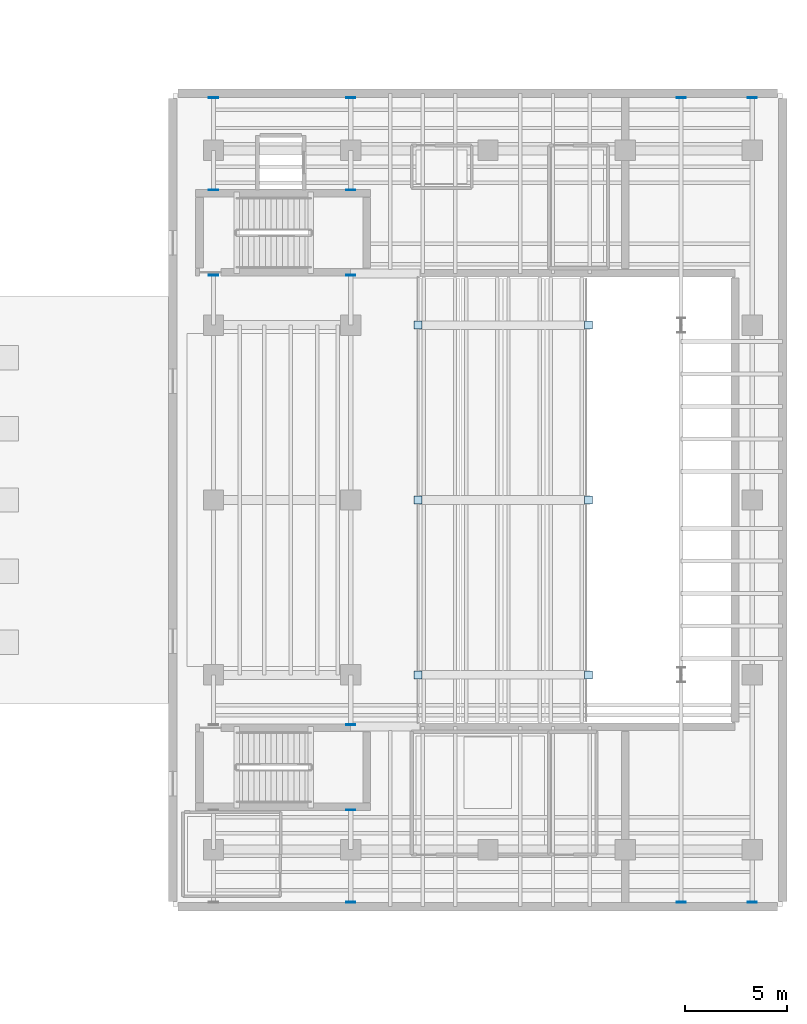
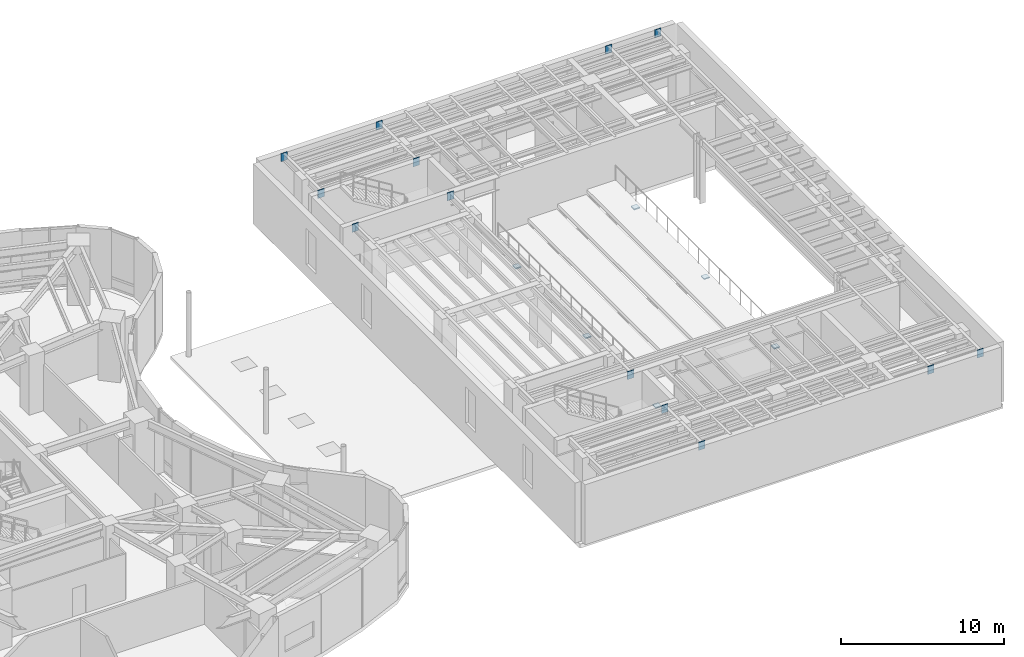
# One storey, part 14 of 24: 19 plates.
"""IFC4 building model written with IfcOpenShell, lengths in metres."""

from ifc_helpers import new_model, si_unit, direction, frame, origin, origin_2d, place, context, subcontext, project, spatial, rectangle, extrude, material, layer, layer_set, type_object, element, save


model = new_model("IFC4")

# Units and contexts
model_context = context("Model", 3, precision=1e-05, world=origin(), true_north=direction((0.0, 1.0)))
body_context = subcontext(model_context, "Body", "Model", "MODEL_VIEW")
ifc_project = project(units=[si_unit("LENGTHUNIT", "METRE"), si_unit("AREAUNIT", "SQUARE_METRE"), si_unit("VOLUMEUNIT", "CUBIC_METRE"), si_unit("PLANEANGLEUNIT", "RADIAN"), si_unit("MASSUNIT", "GRAM", prefix="KILO")], contexts=[model_context])

# Site, building, storey
site_placement = place(None, origin())
site = spatial("IfcSite", under=ifc_project, at=site_placement, CompositionType="ELEMENT")
building_placement = place(site_placement, origin())
building = spatial("IfcBuilding", under=site, at=building_placement, Name="Korentha Bioscience Tower", CompositionType="ELEMENT")
storey_placement = place(building_placement, frame((0.0, 0.0, 10.199951171875)))
storey = spatial("IfcBuildingStorey", under=building, at=storey_placement, Name="L02", CompositionType="ELEMENT", Elevation=10.199951171875)

# Plates
ifc_material = material(Name="Steel S355", Category="steel")
ifc_layer_1 = layer(ifc_material, 0.0400390625, Name="Steel S355")
ifc_layer_set_1 = layer_set([ifc_layer_1], Name="Steel S355 (EP-01)")
plate_type_1 = type_object("IfcPlateType", Name="Cast-In Shear Wall Embed Plate 450x600x40", PredefinedType="USERDEFINED", material=ifc_layer_set_1)
for number, where, z_axis, x_axis, name in (
    (1, (66.5, 38.050048828125, 3.93359375), (0.0, 0.0, 1.0), (1.0, 0.0, 0.0), "L02 Collector Shear-Wall Embed Plate B-1-6"),
    (2, (66.5, 42.25, 3.93359375), (0.0, 0.0, 1.0), (1.0, 0.0, 0.0), "L02 Collector Shear-Wall Embed Plate A-1-7"),
    (3, (66.5, 46.7900390625, 3.93359375), (0.0, 0.0, 1.0), (1.0, 0.0, 0.0), "L02 Collector Shear-Wall Embed Plate B-1-8"),
    (4, (73.25, 7.2099609375, 3.93359375), (0.0, 0.0, 1.0), (1.0, 0.0, 0.0), "L02 Collector Shear-Wall Embed Plate A-2-1"),
    (5, (73.25, 11.75, 3.93359375), (0.0, 0.0, 1.0), (1.0, 0.0, 0.0), "L02 Collector Shear-Wall Embed Plate B-2-2"),
    (6, (73.25, 15.949951171875, 3.93359375), (0.0, 0.0, 1.0), (1.0, 0.0, 0.0), "L02 Collector Shear-Wall Embed Plate A-2-3"),
    (7, (73.25, 38.050048828125, 3.93359375), (0.0, 0.0, 1.0), (1.0, 0.0, 0.0), "L02 Collector Shear-Wall Embed Plate B-2-6"),
    (8, (73.25, 42.25, 3.93359375), (0.0, 0.0, 1.0), (1.0, 0.0, 0.0), "L02 Collector Shear-Wall Embed Plate A-2-7"),
    (9, (73.25, 46.7900390625, 3.93359375), (0.0, 0.0, 1.0), (1.0, 0.0, 0.0), "L02 Collector Shear-Wall Embed Plate B-2-8"),
    (10, (89.5, 7.2099609375, 3.93359375), (0.0, 0.0, 1.0), (1.0, 0.0, 0.0), "L02 Collector Shear-Wall Embed Plate A-3-1"),
    (11, (89.5, 46.7900390625, 3.93359375), (0.0, 0.0, 1.0), (1.0, 0.0, 0.0), "L02 Collector Shear-Wall Embed Plate B-3-3"),
    (12, (93.0, 7.2099609375, 3.93359375), (0.0, 0.0, 1.0), (1.0, 0.0, 0.0), "L02 Collector Shear-Wall Embed Plate A-4-1"),
    (13, (93.0, 46.7900390625, 3.93359375), (0.0, 0.0, 1.0), (1.0, 0.0, 0.0), "L02 Collector Shear-Wall Embed Plate B-4-6"),
):
    element("IfcPlate", number, at=place(storey_placement, frame(where, z_axis=z_axis, x_axis=x_axis)), inside=storey, type_object=plate_type_1, Name=name, ObjectType="BASE_PLATE", PredefinedType="USERDEFINED", context=body_context, shape_type="SweptSolid", body=[
        extrude(rectangle(XDim=0.449951171875, YDim=0.0400390625, at=origin_2d()), origin(), (0.0, 0.0, 1.0), 0.60009765625),
    ])
ifc_layer_2 = layer(ifc_material, 0.080078125, Name="Steel S355")
ifc_layer_set_2 = layer_set([ifc_layer_2], Name="Steel S355 (CP-02)")
plate_type_2 = type_object("IfcPlateType", Name="Hollow Section End Cap Plate 400x400x80", PredefinedType="USERDEFINED", material=ifc_layer_set_2)
for number, where, z_axis, x_axis, name in (
    (14, (84.949951171875, 18.39990234375, 0.72705078125), (0.0, 0.0, 1.0), (1.0, 0.0, 0.0), "L02 Raker Post Cap E-18"),
    (15, (76.550048828125, 18.39990234375, -0.764892578125), (0.0, 0.0, 1.0), (1.0, 0.0, 0.0), "L02 Raker Post Cap W-18"),
    (16, (84.949951171875, 27.0, 0.72705078125), (0.0, 0.0, 1.0), (1.0, 0.0, 0.0), "L02 Raker Post Cap E-27"),
    (17, (76.550048828125, 27.0, -0.764892578125), (0.0, 0.0, 1.0), (1.0, 0.0, 0.0), "L02 Raker Post Cap W-27"),
    (18, (84.949951171875, 35.60009765625, 0.72705078125), (0.0, 0.0, 1.0), (1.0, 0.0, 0.0), "L02 Raker Post Cap E-35"),
    (19, (76.550048828125, 35.60009765625, -0.764892578125), (0.0, 0.0, 1.0), (1.0, 0.0, 0.0), "L02 Raker Post Cap W-35"),
):
    element("IfcPlate", number, at=place(storey_placement, frame(where, z_axis=z_axis, x_axis=x_axis)), inside=storey, type_object=plate_type_2, Name=name, ObjectType="CAP_PLATE", PredefinedType="USERDEFINED", context=body_context, shape_type="SweptSolid", body=[
        extrude(rectangle(XDim=0.39990234375, YDim=0.39990234375, at=origin_2d()), origin(), (0.0, 0.0, 1.0), 0.080078125),
    ])

save(model, "model.ifc")
